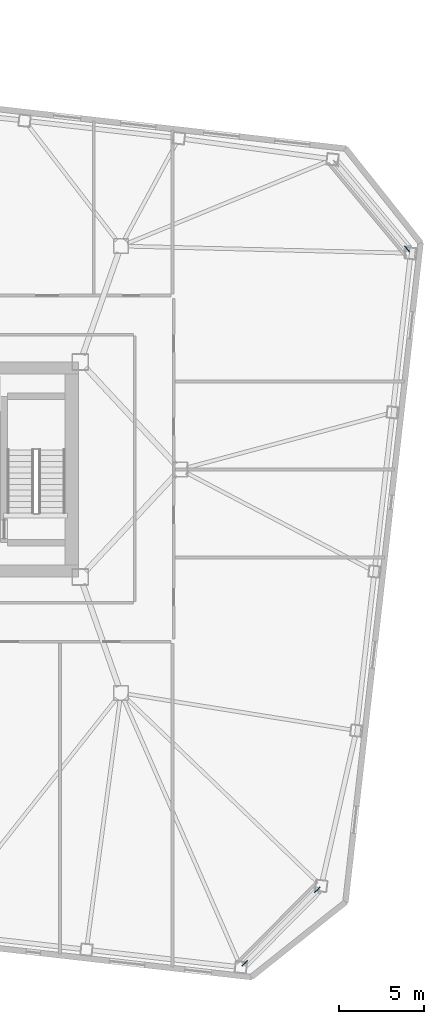
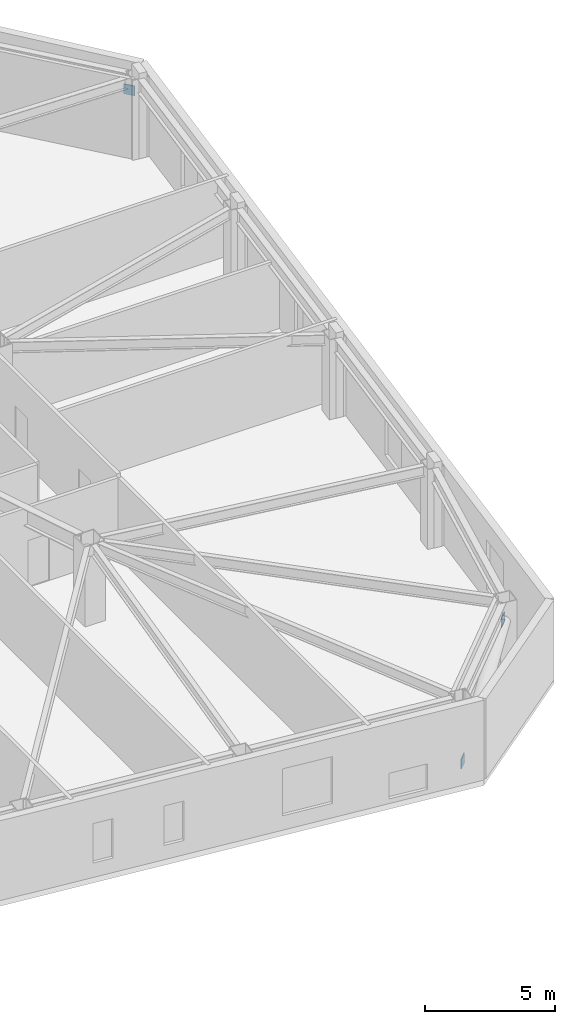
# One storey, part 20 of 22: 3 discrete accessories.
"""IFC4 building model written with IfcOpenShell, lengths in metres."""

from ifc_helpers import new_model, si_unit, direction, frame, origin, origin_2d, place, context, subcontext, project, spatial, rectangle, extrude, material, type_object, element, save


model = new_model("IFC4")

# Units and contexts
model_context = context("Model", 3, precision=1e-05, world=origin(), true_north=direction((0.0, 1.0)))
body_context = subcontext(model_context, "Body", "Model", "MODEL_VIEW")
ifc_project = project(units=[si_unit("LENGTHUNIT", "METRE"), si_unit("AREAUNIT", "SQUARE_METRE"), si_unit("VOLUMEUNIT", "CUBIC_METRE"), si_unit("PLANEANGLEUNIT", "RADIAN"), si_unit("MASSUNIT", "GRAM", prefix="KILO")], contexts=[model_context])

# Site, building, storey
site_placement = place(None, origin())
site = spatial("IfcSite", under=ifc_project, at=site_placement, CompositionType="ELEMENT")
building_placement = place(site_placement, origin())
building = spatial("IfcBuilding", under=site, at=building_placement, Name="Tavrogorsk Clinical Tower", CompositionType="ELEMENT")
storey_placement = place(building_placement, frame((0.0, 0.0, 93.39990234375)))
storey = spatial("IfcBuildingStorey", under=building, at=storey_placement, Name="L20", CompositionType="ELEMENT", Elevation=93.39990234375)

# Discrete accessories
ifc_material = material(Name="Structural steel S440", Category="steel")
discrete_accessory_type = type_object("IfcDiscreteAccessoryType", Name="GussetPlateBracket_25", PredefinedType="BRACKET", material=ifc_material)
for number, where, z_axis, x_axis, name in (
    (1, (31.81640625, -29.1650390625, 0.20458984375), (0.0, 0.0, 1.0), (0.702898299792, 0.711290362756, 0.0), "L20 Brace Gusset Plate EXOCRN-L20-1-A"),
    (2, (36.1025390625, -24.82763671875, 2.67578125), (0.0, 0.0, 1.0), (0.702898299792, 0.711290362756, 0.0), "L20 Brace Gusset Plate EXOCRN-L20-1-B"),
    (3, (41.40771484375, 13.03076171875, 2.68310546875), (0.0, 0.0, 1.0), (0.640243780506, -0.768171791674, 0.0), "L20 Brace Gusset Plate EXOCRN-L20-2-B"),
):
    element("IfcDiscreteAccessory", number, at=place(storey_placement, frame(where, z_axis=z_axis, x_axis=x_axis)), inside=storey, type_object=discrete_accessory_type, Name=name, PredefinedType="BRACKET", context=body_context, shape_type="SweptSolid", body=[
        extrude(rectangle(XDim=0.4599609375, YDim=0.0400390625, at=origin_2d()), origin(), (0.0, 0.0, 1.0), 0.4599609375),
    ])

save(model, "model.ifc")
